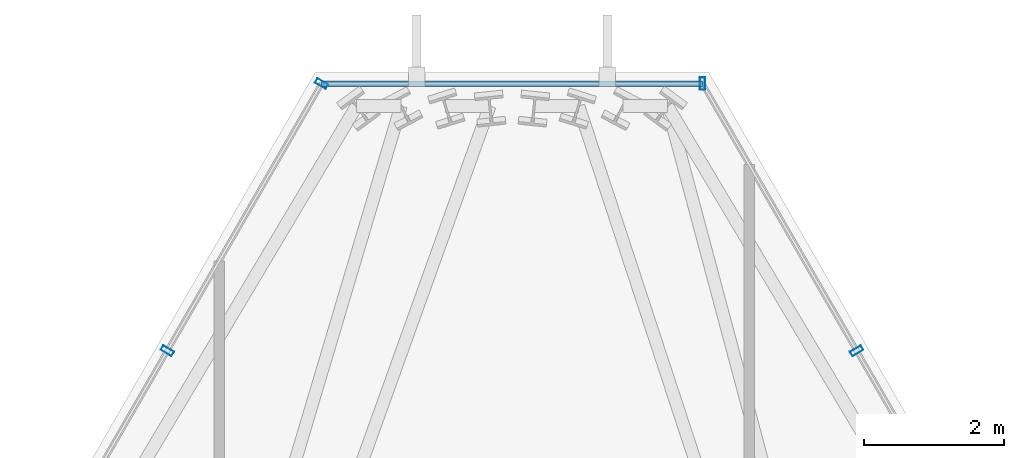
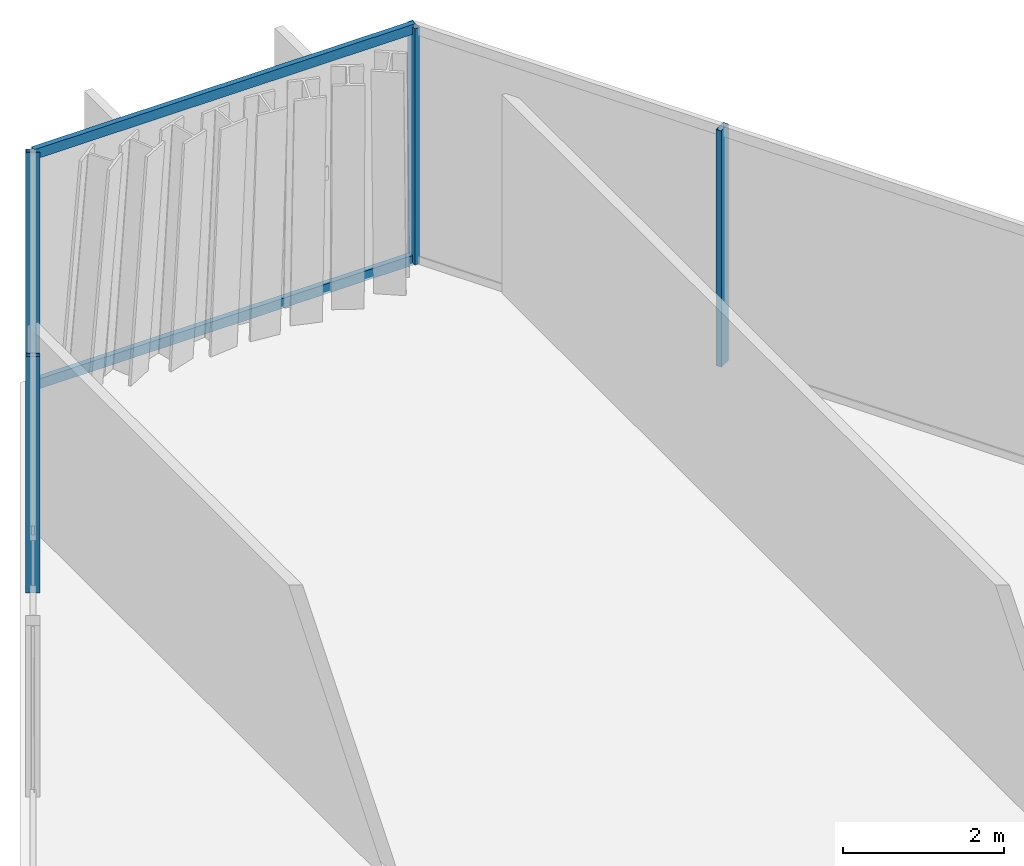
# One storey, part 27 of 34: 6 members, 3 elements without a shape of their own.
"""IFC4 building model written with IfcOpenShell, lengths in metres."""

from ifc_helpers import new_model, si_unit, direction, frame, origin, origin_2d, place, context, subcontext, project, spatial, hollow_rectangle, extrude, material, layer, layer_set, material_profile, profile_set, type_object, element, aggregate, save


model = new_model("IFC4")

# Units and contexts
model_context = context("Model", 3, precision=1e-05, world=origin(), true_north=direction((0.0, 1.0)))
body_context = subcontext(model_context, "Body", "Model", "MODEL_VIEW")
ifc_project = project(units=[si_unit("LENGTHUNIT", "METRE"), si_unit("AREAUNIT", "SQUARE_METRE"), si_unit("VOLUMEUNIT", "CUBIC_METRE"), si_unit("PLANEANGLEUNIT", "RADIAN"), si_unit("MASSUNIT", "GRAM", prefix="KILO")], contexts=[model_context])

# Site, building, storey
site_placement = place(None, origin())
site = spatial("IfcSite", under=ifc_project, at=site_placement, CompositionType="ELEMENT")
building_placement = place(site_placement, origin())
building = spatial("IfcBuilding", under=site, at=building_placement, Name="Ndaravel Arena Tower", CompositionType="ELEMENT")
storey_placement = place(building_placement, frame((0.0, 0.0, 267.39990234375)))
storey = spatial("IfcBuildingStorey", under=building, at=storey_placement, Name="L65", CompositionType="ELEMENT", Elevation=267.39990234375)

# Curtain wall, member
ifc_material_1 = material(Name="Aluminium", Category="aluminium")
ifc_layer_1 = layer(ifc_material_1, 0.179931640625)
ifc_layer_set_1 = layer_set([ifc_layer_1], Name="Aluminium")
curtain_wall_type_1 = type_object("IfcCurtainWallType", Name="CW-SYS-03", PredefinedType="NOTDEFINED", material=ifc_layer_set_1)
curtain_wall_1_placement = place(storey_placement, origin())
curtain_wall_1 = element("IfcCurtainWall", 1, at=curtain_wall_1_placement, inside=storey, type_object=curtain_wall_type_1, Name="L65 Faceted Crystal Curtain Wall CW-L65-E03", PredefinedType="NOTDEFINED")
ifc_material_2 = material(Name="Aluminium", Category="aluminium")
ifc_material_profile_1 = material_profile(ifc_material_2, hollow_rectangle(XDim=0.074951171875, YDim=0.179931640625, WallThickness=0.00390625, at=origin_2d()), Name="CW MULLION 75x180x4")
ifc_profile_set_1 = profile_set([ifc_material_profile_1], Name="Aluminium")
member_type_1 = type_object("IfcMemberType", Name="MEM-CW-MUL180", PredefinedType="MULLION", material=ifc_profile_set_1)
member_1_placement = place(storey_placement, frame((46.94140625, 40.5283203125, 0.0), z_axis=(0.0, 0.0, 1.0), x_axis=(-0.5, 0.866025403784, 0.0)))
member_1 = element("IfcMember", 2, at=member_1_placement, type_object=member_type_1, Name="CW-L65-E03 Mullion 08", PredefinedType="MULLION", context=body_context, shape_type="SweptSolid", body=[
    extrude(hollow_rectangle(XDim=0.074951171875, YDim=0.179931640625, WallThickness=0.00390625, at=origin_2d()), origin(), (0.0, 0.0, 1.0), 3.580078125),
])
aggregate(curtain_wall_1, [member_1])

ifc_material_3 = material(Name="Aluminium", Category="aluminium")
ifc_layer_2 = layer(ifc_material_3, 0.179931640625)
ifc_layer_set_2 = layer_set([ifc_layer_2], Name="Aluminium")
curtain_wall_type_2 = type_object("IfcCurtainWallType", Name="CW-SYS-01", PredefinedType="NOTDEFINED", material=ifc_layer_set_2)
curtain_wall_2_placement = place(storey_placement, origin())
curtain_wall_2 = element("IfcCurtainWall", 3, at=curtain_wall_2_placement, inside=storey, type_object=curtain_wall_type_2, Name="L65 Faceted Crystal Curtain Wall CW-L65-E04", PredefinedType="NOTDEFINED")
member_2_placement = place(storey_placement, frame((44.730224609375, 44.3583984375, 0.0), z_axis=(0.0, 0.0, 1.0), x_axis=(-1.0, 0.0, 0.0)))
member_2 = element("IfcMember", 4, at=member_2_placement, type_object=member_type_1, Name="CW-L65-E04 Mullion 00", PredefinedType="MULLION", context=body_context, shape_type="SweptSolid", body=[
    extrude(hollow_rectangle(XDim=0.074951171875, YDim=0.179931640625, WallThickness=0.00390625, at=origin_2d()), origin(), (0.0, 0.0, 1.0), 3.580078125),
])

# Curtain wall, members
curtain_wall_3_placement = place(storey_placement, origin())
curtain_wall_3 = element("IfcCurtainWall", 5, at=curtain_wall_3_placement, inside=storey, type_object=curtain_wall_type_1, Name="L65 Faceted Crystal Curtain Wall CW-L65-E05", PredefinedType="NOTDEFINED")
member_3_placement = place(storey_placement, frame((39.269775390625, 44.3583984375, 0.0), z_axis=(0.0, 0.0, 1.0), x_axis=(-0.5, -0.866025403784, 0.0)))
member_3 = element("IfcMember", 6, at=member_3_placement, type_object=member_type_1, Name="CW-L65-E05 Mullion 00", PredefinedType="MULLION", context=body_context, shape_type="SweptSolid", body=[
    extrude(hollow_rectangle(XDim=0.074951171875, YDim=0.179931640625, WallThickness=0.00390625, at=origin_2d()), origin(), (0.0, 0.0, 1.0), 3.580078125),
])
member_4_placement = place(storey_placement, frame((37.05859375, 40.5283203125, 0.0), z_axis=(0.0, 0.0, 1.0), x_axis=(-0.5, -0.866025403784, 0.0)))
member_4 = element("IfcMember", 7, at=member_4_placement, type_object=member_type_1, Name="CW-L65-E05 Mullion 01", PredefinedType="MULLION", context=body_context, shape_type="SweptSolid", body=[
    extrude(hollow_rectangle(XDim=0.074951171875, YDim=0.179931640625, WallThickness=0.00390625, at=origin_2d()), origin(), (0.0, 0.0, 1.0), 3.580078125),
])
aggregate(curtain_wall_3, [member_3, member_4])

# Member
ifc_material_4 = material(Name="Aluminium", Category="aluminium")
ifc_material_profile_2 = material_profile(ifc_material_4, hollow_rectangle(XDim=0.074951171875, YDim=0.14990234375, WallThickness=0.00390625, at=origin_2d()), Name="CW TRANSOM 75x150x4")
ifc_profile_set_2 = profile_set([ifc_material_profile_2], Name="Aluminium")
member_type_2 = type_object("IfcMemberType", Name="MEM-CW-TRN150", PredefinedType="USERDEFINED", material=ifc_profile_set_2)
member_5_placement = place(storey_placement, frame((44.730224609375, 44.3583984375, 0.0400390625), z_axis=(-1.0, 0.0, 0.0), x_axis=(0.0, -1.0, 0.0)))
member_5 = element("IfcMember", 8, at=member_5_placement, type_object=member_type_2, Name="CW-L65-E04 Transom 01", ObjectType="TRANSOM", PredefinedType="USERDEFINED", context=body_context, shape_type="SweptSolid", body=[
    extrude(hollow_rectangle(XDim=0.074951171875, YDim=0.14990234375, WallThickness=0.00390625, at=origin_2d()), origin(), (0.0, 0.0, 1.0), 5.46044921875),
])

member_6_placement = place(storey_placement, frame((44.730224609375, 44.3583984375, 3.5400390625), z_axis=(-1.0, 0.0, 0.0), x_axis=(0.0, -1.0, 0.0)))
member_6 = element("IfcMember", 9, at=member_6_placement, type_object=member_type_2, Name="CW-L65-E04 Transom 02", ObjectType="TRANSOM", PredefinedType="USERDEFINED", context=body_context, shape_type="SweptSolid", body=[
    extrude(hollow_rectangle(XDim=0.074951171875, YDim=0.14990234375, WallThickness=0.00390625, at=origin_2d()), origin(), (0.0, 0.0, 1.0), 5.46044921875),
])

aggregate(curtain_wall_2, [member_2, member_5, member_6])

save(model, "model.ifc")
